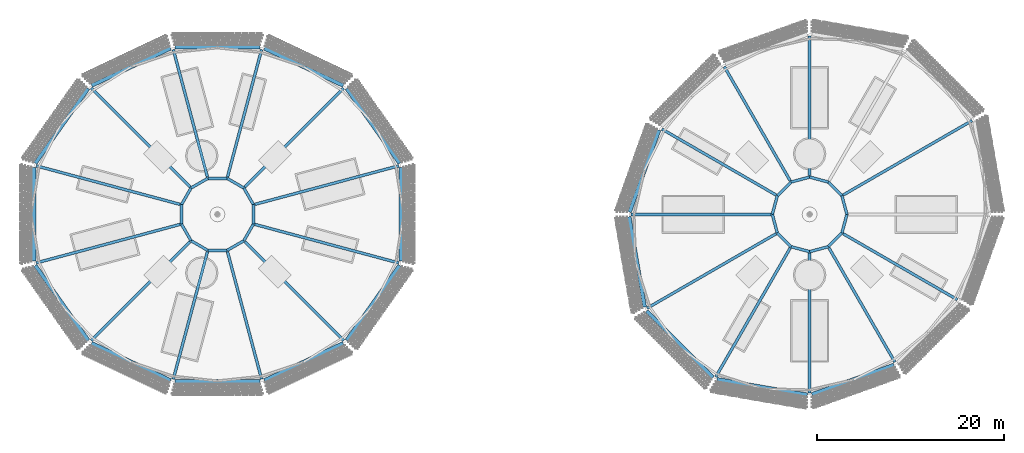
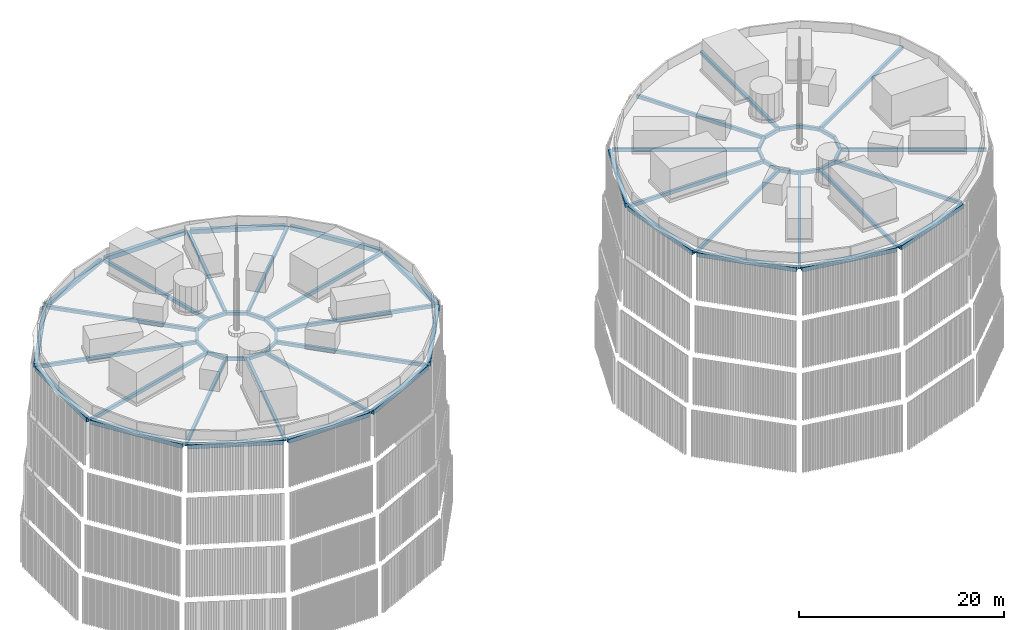
# One storey, part 1 of 24: 63 beams.
"""IFC4 building model written with IfcOpenShell, lengths in metres."""

from ifc_helpers import new_model, si_unit, direction, frame, origin, origin_2d, place, context, subcontext, project, spatial, hollow_rectangle, extrude, material, material_profile, profile_set, type_object, element, save


model = new_model("IFC4")

# Units and contexts
model_context = context("Model", 3, precision=1e-05, world=origin(), true_north=direction((0.0, 1.0)))
body_context = subcontext(model_context, "Body", "Model", "MODEL_VIEW")
ifc_project = project(units=[si_unit("LENGTHUNIT", "METRE"), si_unit("AREAUNIT", "SQUARE_METRE"), si_unit("VOLUMEUNIT", "CUBIC_METRE"), si_unit("PLANEANGLEUNIT", "RADIAN"), si_unit("MASSUNIT", "GRAM", prefix="KILO")], contexts=[model_context])

# Site, building, storey
site_placement = place(None, origin())
site = spatial("IfcSite", under=ifc_project, at=site_placement, CompositionType="ELEMENT")
building_placement = place(site_placement, origin())
building = spatial("IfcBuilding", under=site, at=building_placement, Name="Rimbun Link Towers", CompositionType="ELEMENT")
storey_placement = place(building_placement, frame((0.0, 0.0, 294.89990234375)))
storey = spatial("IfcBuildingStorey", under=building, at=storey_placement, Name="Roof cap", CompositionType="ELEMENT", Elevation=294.89990234375)

# Beams
ifc_material_1 = material(Name="Steel S355J2", Category="steel")
ifc_material_profile_1 = material_profile(ifc_material_1, hollow_rectangle(XDim=0.300048828125, YDim=0.39990234375, WallThickness=0.01611328125, at=origin_2d()), Name="Crown frame hub beam BOX 300x400x16")
ifc_profile_set_1 = profile_set([ifc_material_profile_1], Name="Steel S355J2")
beam_type_1 = type_object("IfcBeamType", Name="Crown frame hub beam BOX 300x400x16", PredefinedType="BEAM", material=ifc_profile_set_1)
beam_1_placement = place(storey_placement, frame((-27.88623046875, 1.035400390625, 0.300048828125), z_axis=(-0.500083095366, 0.865977423337, 0.0), x_axis=(-0.865977423337, -0.500083095366, 0.0)))
element("IfcBeam", 1, at=beam_1_placement, inside=storey, type_object=beam_type_1, Name="CROWN FRAME hub ring beam T1 00", PredefinedType="BEAM", context=body_context, shape_type="SweptSolid", body=[
    extrude(hollow_rectangle(XDim=0.300048828125, YDim=0.39990234375, WallThickness=0.01611328125, at=origin_2d()), origin(), (0.0, 0.0, 1.0), 2.070556640625),
])
beam_2_placement = place(storey_placement, frame((-12.320556640625, 5.2060546875, 0.300048828125), z_axis=(-0.965928665993, -0.258808446952, 0.0), x_axis=(0.258808446952, -0.965928665993, 0.0)))
element("IfcBeam", 2, at=beam_2_placement, inside=storey, type_object=beam_type_1, Name="CROWN FRAME cap beam T1 00", PredefinedType="BEAM", context=body_context, shape_type="SweptSolid", body=[
    extrude(hollow_rectangle(XDim=0.300048828125, YDim=0.39990234375, WallThickness=0.01611328125, at=origin_2d()), origin(), (0.0, 0.0, 1.0), 15.96484375),
])
beam_3_placement = place(storey_placement, frame((-28.921630859375, 2.828369140625, 0.300048828125), z_axis=(-0.865977423337, 0.500083095366, 0.0), x_axis=(-0.500083095366, -0.865977423337, 0.0)))
element("IfcBeam", 3, at=beam_3_placement, inside=storey, type_object=beam_type_1, Name="CROWN FRAME hub ring beam T1 01", PredefinedType="BEAM", context=body_context, shape_type="SweptSolid", body=[
    extrude(hollow_rectangle(XDim=0.300048828125, YDim=0.39990234375, WallThickness=0.01611328125, at=origin_2d()), origin(), (0.0, 0.0, 1.0), 2.070556640625),
])
beam_4_placement = place(storey_placement, frame((-18.218505859375, 13.531494140625, 0.300048828125), z_axis=(-0.707106781187, -0.707106781187, 0.0), x_axis=(0.707106781187, -0.707106781187, 0.0)))
element("IfcBeam", 4, at=beam_4_placement, inside=storey, type_object=beam_type_1, Name="CROWN FRAME cap beam T1 01", PredefinedType="BEAM", context=body_context, shape_type="SweptSolid", body=[
    extrude(hollow_rectangle(XDim=0.300048828125, YDim=0.39990234375, WallThickness=0.01611328125, at=origin_2d()), origin(), (0.0, 0.0, 1.0), 14.986328125),
])
beam_5_placement = place(storey_placement, frame((-30.714599609375, 3.86376953125, 0.300048828125), z_axis=(-1.0, 0.0, 0.0), x_axis=(0.0, -1.0, 0.0)))
element("IfcBeam", 5, at=beam_5_placement, inside=storey, type_object=beam_type_1, Name="CROWN FRAME hub ring beam T1 02", PredefinedType="BEAM", context=body_context, shape_type="SweptSolid", body=[
    extrude(hollow_rectangle(XDim=0.300048828125, YDim=0.39990234375, WallThickness=0.01611328125, at=origin_2d()), origin(), (0.0, 0.0, 1.0), 2.07080078125),
])
beam_6_placement = place(storey_placement, frame((-27.015625, 17.668701171875, 0.300048828125), z_axis=(-0.258814322269, -0.965927091756, 0.0), x_axis=(0.965927091756, -0.258814322269, 0.0)))
element("IfcBeam", 6, at=beam_6_placement, inside=storey, type_object=beam_type_1, Name="CROWN FRAME cap beam T1 02", PredefinedType="BEAM", context=body_context, shape_type="SweptSolid", body=[
    extrude(hollow_rectangle(XDim=0.300048828125, YDim=0.39990234375, WallThickness=0.01611328125, at=origin_2d()), origin(), (0.0, 0.0, 1.0), 14.14208984375),
])
beam_7_placement = place(storey_placement, frame((-32.785400390625, 3.86376953125, 0.300048828125), z_axis=(-0.865977423337, -0.500083095366, 0.0), x_axis=(0.500083095366, -0.865977423337, 0.0)))
element("IfcBeam", 7, at=beam_7_placement, inside=storey, type_object=beam_type_1, Name="CROWN FRAME hub ring beam T1 03", PredefinedType="BEAM", context=body_context, shape_type="SweptSolid", body=[
    extrude(hollow_rectangle(XDim=0.300048828125, YDim=0.39990234375, WallThickness=0.01611328125, at=origin_2d()), origin(), (0.0, 0.0, 1.0), 2.070556640625),
])
beam_8_placement = place(storey_placement, frame((-36.484375, 17.668701171875, 0.300048828125), z_axis=(0.258814322269, -0.965927091756, 0.0), x_axis=(0.965927091756, 0.258814322269, 0.0)))
element("IfcBeam", 8, at=beam_8_placement, inside=storey, type_object=beam_type_1, Name="CROWN FRAME cap beam T1 03", PredefinedType="BEAM", context=body_context, shape_type="SweptSolid", body=[
    extrude(hollow_rectangle(XDim=0.300048828125, YDim=0.39990234375, WallThickness=0.01611328125, at=origin_2d()), origin(), (0.0, 0.0, 1.0), 14.14208984375),
])
beam_9_placement = place(storey_placement, frame((-34.578369140625, 2.828369140625, 0.300048828125), z_axis=(-0.500083095366, -0.865977423337, 0.0), x_axis=(0.865977423337, -0.500083095366, 0.0)))
element("IfcBeam", 9, at=beam_9_placement, inside=storey, type_object=beam_type_1, Name="CROWN FRAME hub ring beam T1 04", PredefinedType="BEAM", context=body_context, shape_type="SweptSolid", body=[
    extrude(hollow_rectangle(XDim=0.300048828125, YDim=0.39990234375, WallThickness=0.01611328125, at=origin_2d()), origin(), (0.0, 0.0, 1.0), 2.070556640625),
])
beam_10_placement = place(storey_placement, frame((-45.281494140625, 13.531494140625, 0.300048828125), z_axis=(0.707106781187, -0.707106781187, 0.0), x_axis=(0.707106781187, 0.707106781187, 0.0)))
element("IfcBeam", 10, at=beam_10_placement, inside=storey, type_object=beam_type_1, Name="CROWN FRAME cap beam T1 04", PredefinedType="BEAM", context=body_context, shape_type="SweptSolid", body=[
    extrude(hollow_rectangle(XDim=0.300048828125, YDim=0.39990234375, WallThickness=0.01611328125, at=origin_2d()), origin(), (0.0, 0.0, 1.0), 14.986328125),
])
beam_11_placement = place(storey_placement, frame((-35.61376953125, 1.035400390625, 0.300048828125), z_axis=(0.0, -1.0, 0.0), x_axis=(1.0, 0.0, 0.0)))
element("IfcBeam", 11, at=beam_11_placement, inside=storey, type_object=beam_type_1, Name="CROWN FRAME hub ring beam T1 05", PredefinedType="BEAM", context=body_context, shape_type="SweptSolid", body=[
    extrude(hollow_rectangle(XDim=0.300048828125, YDim=0.39990234375, WallThickness=0.01611328125, at=origin_2d()), origin(), (0.0, 0.0, 1.0), 2.07080078125),
])
beam_12_placement = place(storey_placement, frame((-51.179443359375, 5.2060546875, 0.300048828125), z_axis=(0.965928665993, -0.258808446952, 0.0), x_axis=(0.258808446952, 0.965928665993, 0.0)))
element("IfcBeam", 12, at=beam_12_placement, inside=storey, type_object=beam_type_1, Name="CROWN FRAME cap beam T1 05", PredefinedType="BEAM", context=body_context, shape_type="SweptSolid", body=[
    extrude(hollow_rectangle(XDim=0.300048828125, YDim=0.39990234375, WallThickness=0.01611328125, at=origin_2d()), origin(), (0.0, 0.0, 1.0), 15.96484375),
])
beam_13_placement = place(storey_placement, frame((-35.61376953125, -1.035400390625, 0.300048828125), z_axis=(0.500083095366, -0.865977423337, 0.0), x_axis=(0.865977423337, 0.500083095366, 0.0)))
element("IfcBeam", 13, at=beam_13_placement, inside=storey, type_object=beam_type_1, Name="CROWN FRAME hub ring beam T1 06", PredefinedType="BEAM", context=body_context, shape_type="SweptSolid", body=[
    extrude(hollow_rectangle(XDim=0.300048828125, YDim=0.39990234375, WallThickness=0.01611328125, at=origin_2d()), origin(), (0.0, 0.0, 1.0), 2.070556640625),
])
beam_14_placement = place(storey_placement, frame((-51.179443359375, -5.2060546875, 0.300048828125), z_axis=(0.965928665993, 0.258808446952, 0.0), x_axis=(-0.258808446952, 0.965928665993, 0.0)))
element("IfcBeam", 14, at=beam_14_placement, inside=storey, type_object=beam_type_1, Name="CROWN FRAME cap beam T1 06", PredefinedType="BEAM", context=body_context, shape_type="SweptSolid", body=[
    extrude(hollow_rectangle(XDim=0.300048828125, YDim=0.39990234375, WallThickness=0.01611328125, at=origin_2d()), origin(), (0.0, 0.0, 1.0), 15.96484375),
])
beam_15_placement = place(storey_placement, frame((-34.578369140625, -2.828369140625, 0.300048828125), z_axis=(0.865977423337, -0.500083095366, 0.0), x_axis=(0.500083095366, 0.865977423337, 0.0)))
element("IfcBeam", 15, at=beam_15_placement, inside=storey, type_object=beam_type_1, Name="CROWN FRAME hub ring beam T1 07", PredefinedType="BEAM", context=body_context, shape_type="SweptSolid", body=[
    extrude(hollow_rectangle(XDim=0.300048828125, YDim=0.39990234375, WallThickness=0.01611328125, at=origin_2d()), origin(), (0.0, 0.0, 1.0), 2.070556640625),
])
beam_16_placement = place(storey_placement, frame((-45.281494140625, -13.531494140625, 0.300048828125), z_axis=(0.707106781187, 0.707106781187, 0.0), x_axis=(-0.707106781187, 0.707106781187, 0.0)))
element("IfcBeam", 16, at=beam_16_placement, inside=storey, type_object=beam_type_1, Name="CROWN FRAME cap beam T1 07", PredefinedType="BEAM", context=body_context, shape_type="SweptSolid", body=[
    extrude(hollow_rectangle(XDim=0.300048828125, YDim=0.39990234375, WallThickness=0.01611328125, at=origin_2d()), origin(), (0.0, 0.0, 1.0), 14.986328125),
])
beam_17_placement = place(storey_placement, frame((-32.785400390625, -3.86376953125, 0.300048828125), z_axis=(1.0, 0.0, 0.0), x_axis=(0.0, 1.0, 0.0)))
element("IfcBeam", 17, at=beam_17_placement, inside=storey, type_object=beam_type_1, Name="CROWN FRAME hub ring beam T1 08", PredefinedType="BEAM", context=body_context, shape_type="SweptSolid", body=[
    extrude(hollow_rectangle(XDim=0.300048828125, YDim=0.39990234375, WallThickness=0.01611328125, at=origin_2d()), origin(), (0.0, 0.0, 1.0), 2.07080078125),
])
beam_18_placement = place(storey_placement, frame((-36.484375, -17.668701171875, 0.300048828125), z_axis=(0.258814322269, 0.965927091756, 0.0), x_axis=(-0.965927091756, 0.258814322269, 0.0)))
element("IfcBeam", 18, at=beam_18_placement, inside=storey, type_object=beam_type_1, Name="CROWN FRAME cap beam T1 08", PredefinedType="BEAM", context=body_context, shape_type="SweptSolid", body=[
    extrude(hollow_rectangle(XDim=0.300048828125, YDim=0.39990234375, WallThickness=0.01611328125, at=origin_2d()), origin(), (0.0, 0.0, 1.0), 14.14208984375),
])
beam_19_placement = place(storey_placement, frame((-30.714599609375, -3.86376953125, 0.300048828125), z_axis=(0.865977423337, 0.500083095366, 0.0), x_axis=(-0.500083095366, 0.865977423337, 0.0)))
element("IfcBeam", 19, at=beam_19_placement, inside=storey, type_object=beam_type_1, Name="CROWN FRAME hub ring beam T1 09", PredefinedType="BEAM", context=body_context, shape_type="SweptSolid", body=[
    extrude(hollow_rectangle(XDim=0.300048828125, YDim=0.39990234375, WallThickness=0.01611328125, at=origin_2d()), origin(), (0.0, 0.0, 1.0), 2.070556640625),
])
beam_20_placement = place(storey_placement, frame((-27.015625, -17.668701171875, 0.300048828125), z_axis=(-0.258814322269, 0.965927091756, 0.0), x_axis=(-0.965927091756, -0.258814322269, 0.0)))
element("IfcBeam", 20, at=beam_20_placement, inside=storey, type_object=beam_type_1, Name="CROWN FRAME cap beam T1 09", PredefinedType="BEAM", context=body_context, shape_type="SweptSolid", body=[
    extrude(hollow_rectangle(XDim=0.300048828125, YDim=0.39990234375, WallThickness=0.01611328125, at=origin_2d()), origin(), (0.0, 0.0, 1.0), 14.14208984375),
])
beam_21_placement = place(storey_placement, frame((-28.921630859375, -2.828369140625, 0.300048828125), z_axis=(0.500083095366, 0.865977423337, 0.0), x_axis=(-0.865977423337, 0.500083095366, 0.0)))
element("IfcBeam", 21, at=beam_21_placement, inside=storey, type_object=beam_type_1, Name="CROWN FRAME hub ring beam T1 10", PredefinedType="BEAM", context=body_context, shape_type="SweptSolid", body=[
    extrude(hollow_rectangle(XDim=0.300048828125, YDim=0.39990234375, WallThickness=0.01611328125, at=origin_2d()), origin(), (0.0, 0.0, 1.0), 2.070556640625),
])
beam_22_placement = place(storey_placement, frame((-18.218505859375, -13.531494140625, 0.300048828125), z_axis=(-0.707106781187, 0.707106781187, 0.0), x_axis=(-0.707106781187, -0.707106781187, 0.0)))
element("IfcBeam", 22, at=beam_22_placement, inside=storey, type_object=beam_type_1, Name="CROWN FRAME cap beam T1 10", PredefinedType="BEAM", context=body_context, shape_type="SweptSolid", body=[
    extrude(hollow_rectangle(XDim=0.300048828125, YDim=0.39990234375, WallThickness=0.01611328125, at=origin_2d()), origin(), (0.0, 0.0, 1.0), 14.986328125),
])
beam_23_placement = place(storey_placement, frame((-27.88623046875, -1.035400390625, 0.300048828125), z_axis=(0.0, 1.0, 0.0), x_axis=(-1.0, 0.0, 0.0)))
element("IfcBeam", 23, at=beam_23_placement, inside=storey, type_object=beam_type_1, Name="CROWN FRAME hub ring beam T1 11", PredefinedType="BEAM", context=body_context, shape_type="SweptSolid", body=[
    extrude(hollow_rectangle(XDim=0.300048828125, YDim=0.39990234375, WallThickness=0.01611328125, at=origin_2d()), origin(), (0.0, 0.0, 1.0), 2.07080078125),
])
beam_24_placement = place(storey_placement, frame((-12.320556640625, -5.2060546875, 0.300048828125), z_axis=(-0.965928665993, 0.258808446952, 0.0), x_axis=(-0.258808446952, -0.965928665993, 0.0)))
element("IfcBeam", 24, at=beam_24_placement, inside=storey, type_object=beam_type_1, Name="CROWN FRAME cap beam T1 11", PredefinedType="BEAM", context=body_context, shape_type="SweptSolid", body=[
    extrude(hollow_rectangle(XDim=0.300048828125, YDim=0.39990234375, WallThickness=0.01611328125, at=origin_2d()), origin(), (0.0, 0.0, 1.0), 15.96484375),
])
for number, where, z_axis, x_axis, name in (
    (25, (33.75, 3.464111328125, 0.300048828125), (-0.965926999034, 0.25881466832, 0.0), (-0.25881466832, -0.965926999034, 0.0), "CROWN FRAME hub ring beam T2 00"),
    (26, (31.75, 4.0, 0.300048828125), (-0.965926999034, -0.25881466832, 0.0), (0.25881466832, -0.965926999034, 0.0), "CROWN FRAME hub ring beam T2 01"),
):
    element("IfcBeam", number, at=place(storey_placement, frame(where, z_axis=z_axis, x_axis=x_axis)), inside=storey, type_object=beam_type_1, Name=name, PredefinedType="BEAM", context=body_context, shape_type="SweptSolid", body=[
        extrude(hollow_rectangle(XDim=0.300048828125, YDim=0.39990234375, WallThickness=0.01611328125, at=origin_2d()), origin(), (0.0, 0.0, 1.0), 2.070556640625),
    ])
beam_25_placement = place(storey_placement, frame((31.75, 19.136474609375, 0.300048828125), z_axis=(0.0, -1.0, 0.0), x_axis=(1.0, 0.0, 0.0)))
element("IfcBeam", 27, at=beam_25_placement, inside=storey, type_object=beam_type_1, Name="CROWN FRAME cap beam T2 01", PredefinedType="BEAM", context=body_context, shape_type="SweptSolid", body=[
    extrude(hollow_rectangle(XDim=0.300048828125, YDim=0.39990234375, WallThickness=0.01611328125, at=origin_2d()), origin(), (0.0, 0.0, 1.0), 14.986572265625),
])
beam_26_placement = place(storey_placement, frame((29.75, 3.464111328125, 0.300048828125), z_axis=(-0.707106781187, -0.707106781187, 0.0), x_axis=(0.707106781187, -0.707106781187, 0.0)))
element("IfcBeam", 28, at=beam_26_placement, inside=storey, type_object=beam_type_1, Name="CROWN FRAME hub ring beam T2 02", PredefinedType="BEAM", context=body_context, shape_type="SweptSolid", body=[
    extrude(hollow_rectangle(XDim=0.300048828125, YDim=0.39990234375, WallThickness=0.01611328125, at=origin_2d()), origin(), (0.0, 0.0, 1.0), 2.070556640625),
])
beam_27_placement = place(storey_placement, frame((22.60400390625, 15.84130859375, 0.300048828125), z_axis=(0.500002896979, -0.866023731207, 0.0), x_axis=(0.866023731207, 0.500002896979, 0.0)))
element("IfcBeam", 29, at=beam_27_placement, inside=storey, type_object=beam_type_1, Name="CROWN FRAME cap beam T2 02", PredefinedType="BEAM", context=body_context, shape_type="SweptSolid", body=[
    extrude(hollow_rectangle(XDim=0.300048828125, YDim=0.39990234375, WallThickness=0.01611328125, at=origin_2d()), origin(), (0.0, 0.0, 1.0), 14.14208984375),
])
beam_28_placement = place(storey_placement, frame((28.285888671875, 2.0, 0.300048828125), z_axis=(-0.25881466832, -0.965926999034, 0.0), x_axis=(0.965926999034, -0.25881466832, 0.0)))
element("IfcBeam", 30, at=beam_28_placement, inside=storey, type_object=beam_type_1, Name="CROWN FRAME hub ring beam T2 03", PredefinedType="BEAM", context=body_context, shape_type="SweptSolid", body=[
    extrude(hollow_rectangle(XDim=0.300048828125, YDim=0.39990234375, WallThickness=0.01611328125, at=origin_2d()), origin(), (0.0, 0.0, 1.0), 2.070556640625),
])
beam_29_placement = place(storey_placement, frame((15.90869140625, 9.14599609375, 0.300048828125), z_axis=(0.866023731207, -0.500002896979, 0.0), x_axis=(0.500002896979, 0.866023731207, 0.0)))
element("IfcBeam", 31, at=beam_29_placement, inside=storey, type_object=beam_type_1, Name="CROWN FRAME cap beam T2 03", PredefinedType="BEAM", context=body_context, shape_type="SweptSolid", body=[
    extrude(hollow_rectangle(XDim=0.300048828125, YDim=0.39990234375, WallThickness=0.01611328125, at=origin_2d()), origin(), (0.0, 0.0, 1.0), 14.14208984375),
])
beam_30_placement = place(storey_placement, frame((27.75, 0.0, 0.300048828125), z_axis=(0.25881466832, -0.965926999034, 0.0), x_axis=(0.965926999034, 0.25881466832, 0.0)))
element("IfcBeam", 32, at=beam_30_placement, inside=storey, type_object=beam_type_1, Name="CROWN FRAME hub ring beam T2 04", PredefinedType="BEAM", context=body_context, shape_type="SweptSolid", body=[
    extrude(hollow_rectangle(XDim=0.300048828125, YDim=0.39990234375, WallThickness=0.01611328125, at=origin_2d()), origin(), (0.0, 0.0, 1.0), 2.070556640625),
])
beam_31_placement = place(storey_placement, frame((12.613525390625, 0.0, 0.300048828125), z_axis=(1.0, 0.0, 0.0), x_axis=(0.0, 1.0, 0.0)))
element("IfcBeam", 33, at=beam_31_placement, inside=storey, type_object=beam_type_1, Name="CROWN FRAME cap beam T2 04", PredefinedType="BEAM", context=body_context, shape_type="SweptSolid", body=[
    extrude(hollow_rectangle(XDim=0.300048828125, YDim=0.39990234375, WallThickness=0.01611328125, at=origin_2d()), origin(), (0.0, 0.0, 1.0), 14.986572265625),
])
beam_32_placement = place(storey_placement, frame((28.285888671875, -2.0, 0.300048828125), z_axis=(0.707106781187, -0.707106781187, 0.0), x_axis=(0.707106781187, 0.707106781187, 0.0)))
element("IfcBeam", 34, at=beam_32_placement, inside=storey, type_object=beam_type_1, Name="CROWN FRAME hub ring beam T2 05", PredefinedType="BEAM", context=body_context, shape_type="SweptSolid", body=[
    extrude(hollow_rectangle(XDim=0.300048828125, YDim=0.39990234375, WallThickness=0.01611328125, at=origin_2d()), origin(), (0.0, 0.0, 1.0), 2.070556640625),
])
beam_33_placement = place(storey_placement, frame((14.330078125, -10.057373046875, 0.300048828125), z_axis=(0.86602489453, 0.500000882053, 0.0), x_axis=(-0.500000882053, 0.86602489453, 0.0)))
element("IfcBeam", 35, at=beam_33_placement, inside=storey, type_object=beam_type_1, Name="CROWN FRAME cap beam T2 05", PredefinedType="BEAM", context=body_context, shape_type="SweptSolid", body=[
    extrude(hollow_rectangle(XDim=0.300048828125, YDim=0.39990234375, WallThickness=0.01611328125, at=origin_2d()), origin(), (0.0, 0.0, 1.0), 15.96484375),
])
beam_34_placement = place(storey_placement, frame((29.75, -3.464111328125, 0.300048828125), z_axis=(0.965926999034, -0.25881466832, 0.0), x_axis=(0.25881466832, 0.965926999034, 0.0)))
element("IfcBeam", 36, at=beam_34_placement, inside=storey, type_object=beam_type_1, Name="CROWN FRAME hub ring beam T2 06", PredefinedType="BEAM", context=body_context, shape_type="SweptSolid", body=[
    extrude(hollow_rectangle(XDim=0.300048828125, YDim=0.39990234375, WallThickness=0.01611328125, at=origin_2d()), origin(), (0.0, 0.0, 1.0), 2.070556640625),
])
beam_35_placement = place(storey_placement, frame((21.692626953125, -17.419921875, 0.300048828125), z_axis=(0.500000882053, 0.86602489453, 0.0), x_axis=(-0.86602489453, 0.500000882053, 0.0)))
element("IfcBeam", 37, at=beam_35_placement, inside=storey, type_object=beam_type_1, Name="CROWN FRAME cap beam T2 06", PredefinedType="BEAM", context=body_context, shape_type="SweptSolid", body=[
    extrude(hollow_rectangle(XDim=0.300048828125, YDim=0.39990234375, WallThickness=0.01611328125, at=origin_2d()), origin(), (0.0, 0.0, 1.0), 15.96484375),
])
beam_36_placement = place(storey_placement, frame((31.75, -4.0, 0.300048828125), z_axis=(0.965926999034, 0.25881466832, 0.0), x_axis=(-0.25881466832, 0.965926999034, 0.0)))
element("IfcBeam", 38, at=beam_36_placement, inside=storey, type_object=beam_type_1, Name="CROWN FRAME hub ring beam T2 07", PredefinedType="BEAM", context=body_context, shape_type="SweptSolid", body=[
    extrude(hollow_rectangle(XDim=0.300048828125, YDim=0.39990234375, WallThickness=0.01611328125, at=origin_2d()), origin(), (0.0, 0.0, 1.0), 2.070556640625),
])
beam_37_placement = place(storey_placement, frame((31.75, -19.136474609375, 0.300048828125), z_axis=(0.0, 1.0, 0.0), x_axis=(-1.0, 0.0, 0.0)))
element("IfcBeam", 39, at=beam_37_placement, inside=storey, type_object=beam_type_1, Name="CROWN FRAME cap beam T2 07", PredefinedType="BEAM", context=body_context, shape_type="SweptSolid", body=[
    extrude(hollow_rectangle(XDim=0.300048828125, YDim=0.39990234375, WallThickness=0.01611328125, at=origin_2d()), origin(), (0.0, 0.0, 1.0), 14.986572265625),
])
beam_38_placement = place(storey_placement, frame((33.75, -3.464111328125, 0.300048828125), z_axis=(0.707106781187, 0.707106781187, 0.0), x_axis=(-0.707106781187, 0.707106781187, 0.0)))
element("IfcBeam", 40, at=beam_38_placement, inside=storey, type_object=beam_type_1, Name="CROWN FRAME hub ring beam T2 08", PredefinedType="BEAM", context=body_context, shape_type="SweptSolid", body=[
    extrude(hollow_rectangle(XDim=0.300048828125, YDim=0.39990234375, WallThickness=0.01611328125, at=origin_2d()), origin(), (0.0, 0.0, 1.0), 2.070556640625),
])
beam_39_placement = place(storey_placement, frame((40.89599609375, -15.84130859375, 0.300048828125), z_axis=(-0.500002896979, 0.866023731207, 0.0), x_axis=(-0.866023731207, -0.500002896979, 0.0)))
element("IfcBeam", 41, at=beam_39_placement, inside=storey, type_object=beam_type_1, Name="CROWN FRAME cap beam T2 08", PredefinedType="BEAM", context=body_context, shape_type="SweptSolid", body=[
    extrude(hollow_rectangle(XDim=0.300048828125, YDim=0.39990234375, WallThickness=0.01611328125, at=origin_2d()), origin(), (0.0, 0.0, 1.0), 14.14208984375),
])
beam_40_placement = place(storey_placement, frame((35.214111328125, -2.0, 0.300048828125), z_axis=(0.25881466832, 0.965926999034, 0.0), x_axis=(-0.965926999034, 0.25881466832, 0.0)))
element("IfcBeam", 42, at=beam_40_placement, inside=storey, type_object=beam_type_1, Name="CROWN FRAME hub ring beam T2 09", PredefinedType="BEAM", context=body_context, shape_type="SweptSolid", body=[
    extrude(hollow_rectangle(XDim=0.300048828125, YDim=0.39990234375, WallThickness=0.01611328125, at=origin_2d()), origin(), (0.0, 0.0, 1.0), 2.070556640625),
])
beam_41_placement = place(storey_placement, frame((47.59130859375, -9.14599609375, 0.300048828125), z_axis=(-0.866023731207, 0.500002896979, 0.0), x_axis=(-0.500002896979, -0.866023731207, 0.0)))
element("IfcBeam", 43, at=beam_41_placement, inside=storey, type_object=beam_type_1, Name="CROWN FRAME cap beam T2 09", PredefinedType="BEAM", context=body_context, shape_type="SweptSolid", body=[
    extrude(hollow_rectangle(XDim=0.300048828125, YDim=0.39990234375, WallThickness=0.01611328125, at=origin_2d()), origin(), (0.0, 0.0, 1.0), 14.14208984375),
])
for number, where, z_axis, x_axis, name in (
    (44, (35.75, 0.0, 0.300048828125), (-0.25881466832, 0.965926999034, 0.0), (-0.965926999034, -0.25881466832, 0.0), "CROWN FRAME hub ring beam T2 10"),
    (45, (35.214111328125, 2.0, 0.300048828125), (-0.707106781187, 0.707106781187, 0.0), (-0.707106781187, -0.707106781187, 0.0), "CROWN FRAME hub ring beam T2 11"),
):
    element("IfcBeam", number, at=place(storey_placement, frame(where, z_axis=z_axis, x_axis=x_axis)), inside=storey, type_object=beam_type_1, Name=name, PredefinedType="BEAM", context=body_context, shape_type="SweptSolid", body=[
        extrude(hollow_rectangle(XDim=0.300048828125, YDim=0.39990234375, WallThickness=0.01611328125, at=origin_2d()), origin(), (0.0, 0.0, 1.0), 2.070556640625),
    ])
beam_42_placement = place(storey_placement, frame((49.169921875, 10.057373046875, 0.300048828125), z_axis=(-0.86602489453, -0.500000882053, 0.0), x_axis=(0.500000882053, -0.86602489453, 0.0)))
element("IfcBeam", 46, at=beam_42_placement, inside=storey, type_object=beam_type_1, Name="CROWN FRAME cap beam T2 11", PredefinedType="BEAM", context=body_context, shape_type="SweptSolid", body=[
    extrude(hollow_rectangle(XDim=0.300048828125, YDim=0.39990234375, WallThickness=0.01611328125, at=origin_2d()), origin(), (0.0, 0.0, 1.0), 15.96484375),
])
ifc_material_2 = material(Name="Steel S355J2", Category="steel")
ifc_material_profile_2 = material_profile(ifc_material_2, hollow_rectangle(XDim=0.39990234375, YDim=0.5, WallThickness=0.02001953125, at=origin_2d()), Name="Crown frame ring beam BOX 400x500x20")
ifc_profile_set_2 = profile_set([ifc_material_profile_2], Name="Steel S355J2")
beam_type_2 = type_object("IfcBeamType", Name="Crown frame ring beam BOX 400x500x20", PredefinedType="BEAM", material=ifc_profile_set_2)
beam_43_placement = place(storey_placement, frame((-12.221923828125, 5.479248046875, 0.25), z_axis=(-0.577070412399, 0.816694397638, 0.0), x_axis=(-0.816694397638, -0.577070412399, 0.0)))
element("IfcBeam", 47, at=beam_43_placement, inside=storey, type_object=beam_type_2, Name="CROWN FRAME ring beam T1 5-00", PredefinedType="BEAM", context=body_context, shape_type="SweptSolid", body=[
    extrude(hollow_rectangle(XDim=0.39990234375, YDim=0.5, WallThickness=0.02001953125, at=origin_2d()), origin(), (0.0, 0.0, 1.0), 9.82568359375),
])
beam_44_placement = place(storey_placement, frame((-18.2685546875, 13.819580078125, 0.25), z_axis=(-0.904454225759, 0.426570689929, 0.0), x_axis=(-0.426570689929, -0.904454225759, 0.0)))
element("IfcBeam", 48, at=beam_44_placement, inside=storey, type_object=beam_type_2, Name="CROWN FRAME ring beam T1 5-01", PredefinedType="BEAM", context=body_context, shape_type="SweptSolid", body=[
    extrude(hollow_rectangle(XDim=0.39990234375, YDim=0.5, WallThickness=0.02001953125, at=origin_2d()), origin(), (0.0, 0.0, 1.0), 9.344482421875),
])
beam_45_placement = place(storey_placement, frame((-27.2041015625, 17.9140625, 0.25), z_axis=(-1.0, 0.0, 0.0), x_axis=(0.0, -1.0, 0.0)))
element("IfcBeam", 49, at=beam_45_placement, inside=storey, type_object=beam_type_2, Name="CROWN FRAME ring beam T1 5-02", PredefinedType="BEAM", context=body_context, shape_type="SweptSolid", body=[
    extrude(hollow_rectangle(XDim=0.39990234375, YDim=0.5, WallThickness=0.02001953125, at=origin_2d()), origin(), (0.0, 0.0, 1.0), 9.091796875),
])
beam_46_placement = place(storey_placement, frame((-36.77978515625, 17.8056640625, 0.25), z_axis=(-0.904454225759, -0.426570689929, 0.0), x_axis=(0.426570689929, -0.904454225759, 0.0)))
element("IfcBeam", 50, at=beam_46_placement, inside=storey, type_object=beam_type_2, Name="CROWN FRAME ring beam T1 5-03", PredefinedType="BEAM", context=body_context, shape_type="SweptSolid", body=[
    extrude(hollow_rectangle(XDim=0.39990234375, YDim=0.5, WallThickness=0.02001953125, at=origin_2d()), origin(), (0.0, 0.0, 1.0), 9.344482421875),
])
beam_47_placement = place(storey_placement, frame((-45.60791015625, 13.50390625, 0.25), z_axis=(-0.577070412399, -0.816694397638, 0.0), x_axis=(0.816694397638, -0.577070412399, 0.0)))
element("IfcBeam", 51, at=beam_47_placement, inside=storey, type_object=beam_type_2, Name="CROWN FRAME ring beam T1 5-04", PredefinedType="BEAM", context=body_context, shape_type="SweptSolid", body=[
    extrude(hollow_rectangle(XDim=0.39990234375, YDim=0.5, WallThickness=0.02001953125, at=origin_2d()), origin(), (0.0, 0.0, 1.0), 9.82568359375),
])
beam_48_placement = place(storey_placement, frame((-51.4248046875, 5.017822265625, 0.25), z_axis=(0.0, -1.0, 0.0), x_axis=(1.0, 0.0, 0.0)))
element("IfcBeam", 52, at=beam_48_placement, inside=storey, type_object=beam_type_2, Name="CROWN FRAME ring beam T1 5-05", PredefinedType="BEAM", context=body_context, shape_type="SweptSolid", body=[
    extrude(hollow_rectangle(XDim=0.39990234375, YDim=0.5, WallThickness=0.02001953125, at=origin_2d()), origin(), (0.0, 0.0, 1.0), 10.03564453125),
])
beam_49_placement = place(storey_placement, frame((-51.278076171875, -5.479248046875, 0.25), z_axis=(0.577070412399, -0.816694397638, 0.0), x_axis=(0.816694397638, 0.577070412399, 0.0)))
element("IfcBeam", 53, at=beam_49_placement, inside=storey, type_object=beam_type_2, Name="CROWN FRAME ring beam T1 5-06", PredefinedType="BEAM", context=body_context, shape_type="SweptSolid", body=[
    extrude(hollow_rectangle(XDim=0.39990234375, YDim=0.5, WallThickness=0.02001953125, at=origin_2d()), origin(), (0.0, 0.0, 1.0), 9.82568359375),
])
beam_50_placement = place(storey_placement, frame((-45.2314453125, -13.819580078125, 0.25), z_axis=(0.904454225759, -0.426570689929, 0.0), x_axis=(0.426570689929, 0.904454225759, 0.0)))
element("IfcBeam", 54, at=beam_50_placement, inside=storey, type_object=beam_type_2, Name="CROWN FRAME ring beam T1 5-07", PredefinedType="BEAM", context=body_context, shape_type="SweptSolid", body=[
    extrude(hollow_rectangle(XDim=0.39990234375, YDim=0.5, WallThickness=0.02001953125, at=origin_2d()), origin(), (0.0, 0.0, 1.0), 9.344482421875),
])
beam_51_placement = place(storey_placement, frame((-36.2958984375, -17.9140625, 0.25), z_axis=(1.0, 0.0, 0.0), x_axis=(0.0, 1.0, 0.0)))
element("IfcBeam", 55, at=beam_51_placement, inside=storey, type_object=beam_type_2, Name="CROWN FRAME ring beam T1 5-08", PredefinedType="BEAM", context=body_context, shape_type="SweptSolid", body=[
    extrude(hollow_rectangle(XDim=0.39990234375, YDim=0.5, WallThickness=0.02001953125, at=origin_2d()), origin(), (0.0, 0.0, 1.0), 9.091796875),
])
beam_52_placement = place(storey_placement, frame((-26.72021484375, -17.8056640625, 0.25), z_axis=(0.904454225759, 0.426570689929, 0.0), x_axis=(-0.426570689929, 0.904454225759, 0.0)))
element("IfcBeam", 56, at=beam_52_placement, inside=storey, type_object=beam_type_2, Name="CROWN FRAME ring beam T1 5-09", PredefinedType="BEAM", context=body_context, shape_type="SweptSolid", body=[
    extrude(hollow_rectangle(XDim=0.39990234375, YDim=0.5, WallThickness=0.02001953125, at=origin_2d()), origin(), (0.0, 0.0, 1.0), 9.344482421875),
])
beam_53_placement = place(storey_placement, frame((-17.89208984375, -13.50390625, 0.25), z_axis=(0.577070412399, 0.816694397638, 0.0), x_axis=(-0.816694397638, 0.577070412399, 0.0)))
element("IfcBeam", 57, at=beam_53_placement, inside=storey, type_object=beam_type_2, Name="CROWN FRAME ring beam T1 5-10", PredefinedType="BEAM", context=body_context, shape_type="SweptSolid", body=[
    extrude(hollow_rectangle(XDim=0.39990234375, YDim=0.5, WallThickness=0.02001953125, at=origin_2d()), origin(), (0.0, 0.0, 1.0), 9.82568359375),
])
beam_54_placement = place(storey_placement, frame((-12.0751953125, -5.017822265625, 0.25), z_axis=(0.0, 1.0, 0.0), x_axis=(-1.0, 0.0, 0.0)))
element("IfcBeam", 58, at=beam_54_placement, inside=storey, type_object=beam_type_2, Name="CROWN FRAME ring beam T1 5-11", PredefinedType="BEAM", context=body_context, shape_type="SweptSolid", body=[
    extrude(hollow_rectangle(XDim=0.39990234375, YDim=0.5, WallThickness=0.02001953125, at=origin_2d()), origin(), (0.0, 0.0, 1.0), 10.03564453125),
])
beam_55_placement = place(storey_placement, frame((15.602783203125, 9.033935546875, 0.25), z_axis=(-0.337895018873, -0.941183805758, 0.0), x_axis=(0.941183805758, -0.337895018873, 0.0)))
element("IfcBeam", 59, at=beam_55_placement, inside=storey, type_object=beam_type_2, Name="CROWN FRAME ring beam T2 5-03", PredefinedType="BEAM", context=body_context, shape_type="SweptSolid", body=[
    extrude(hollow_rectangle(XDim=0.39990234375, YDim=0.5, WallThickness=0.02001953125, at=origin_2d()), origin(), (0.0, 0.0, 1.0), 9.344482421875),
])
beam_56_placement = place(storey_placement, frame((12.402587890625, -0.250244140625, 0.25), z_axis=(0.169405167945, -0.985546492599, 0.0), x_axis=(0.985546492599, 0.169405167945, 0.0)))
element("IfcBeam", 60, at=beam_56_placement, inside=storey, type_object=beam_type_2, Name="CROWN FRAME ring beam T2 5-04", PredefinedType="BEAM", context=body_context, shape_type="SweptSolid", body=[
    extrude(hollow_rectangle(XDim=0.39990234375, YDim=0.5, WallThickness=0.02001953125, at=origin_2d()), origin(), (0.0, 0.0, 1.0), 9.825927734375),
])
beam_57_placement = place(storey_placement, frame((14.289794921875, -10.364013671875, 0.25), z_axis=(0.707106781187, -0.707106781187, 0.0), x_axis=(0.707106781187, 0.707106781187, 0.0)))
element("IfcBeam", 61, at=beam_57_placement, inside=storey, type_object=beam_type_2, Name="CROWN FRAME ring beam T2 5-05", PredefinedType="BEAM", context=body_context, shape_type="SweptSolid", body=[
    extrude(hollow_rectangle(XDim=0.39990234375, YDim=0.5, WallThickness=0.02001953125, at=origin_2d()), origin(), (0.0, 0.0, 1.0), 10.03564453125),
])
beam_58_placement = place(storey_placement, frame((21.81591796875, -17.682861328125, 0.25), z_axis=(0.985546492599, -0.169405167945, 0.0), x_axis=(0.169405167945, 0.985546492599, 0.0)))
element("IfcBeam", 62, at=beam_58_placement, inside=storey, type_object=beam_type_2, Name="CROWN FRAME ring beam T2 5-06", PredefinedType="BEAM", context=body_context, shape_type="SweptSolid", body=[
    extrude(hollow_rectangle(XDim=0.39990234375, YDim=0.5, WallThickness=0.02001953125, at=origin_2d()), origin(), (0.0, 0.0, 1.0), 9.825927734375),
])
beam_59_placement = place(storey_placement, frame((31.989013671875, -19.3046875, 0.25), z_axis=(0.941183805758, 0.337895018873, 0.0), x_axis=(-0.337895018873, 0.941183805758, 0.0)))
element("IfcBeam", 63, at=beam_59_placement, inside=storey, type_object=beam_type_2, Name="CROWN FRAME ring beam T2 5-07", PredefinedType="BEAM", context=body_context, shape_type="SweptSolid", body=[
    extrude(hollow_rectangle(XDim=0.39990234375, YDim=0.5, WallThickness=0.02001953125, at=origin_2d()), origin(), (0.0, 0.0, 1.0), 9.344482421875),
])

save(model, "model.ifc")
